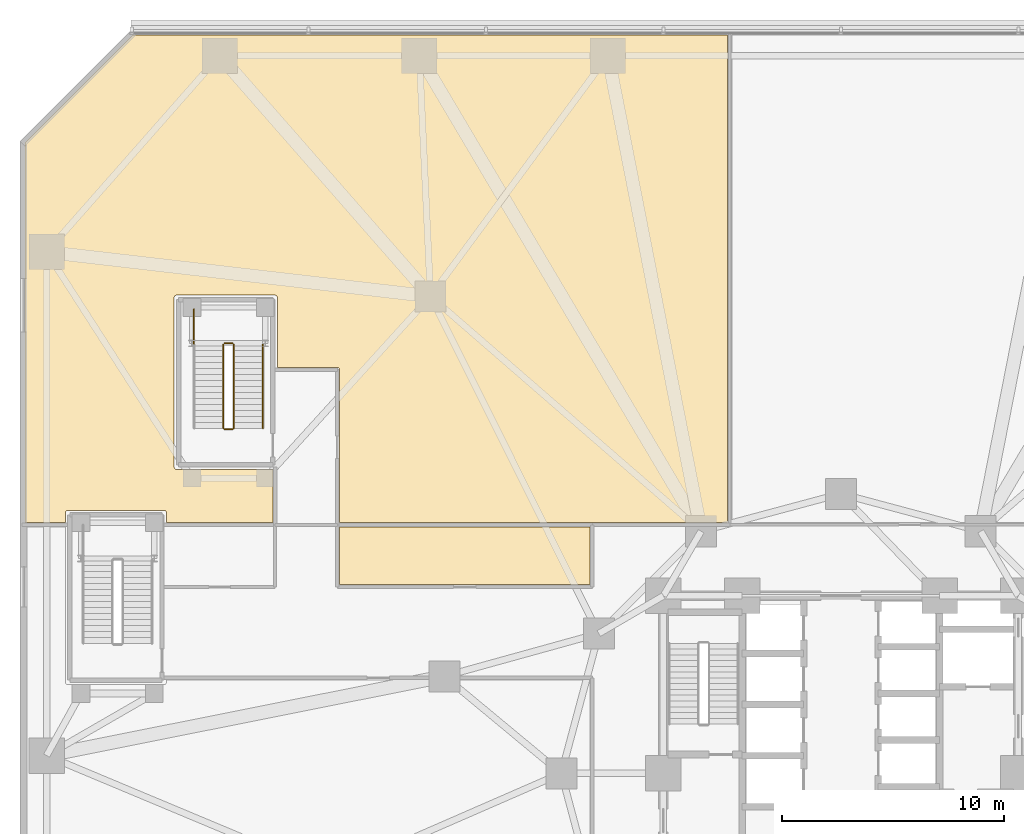
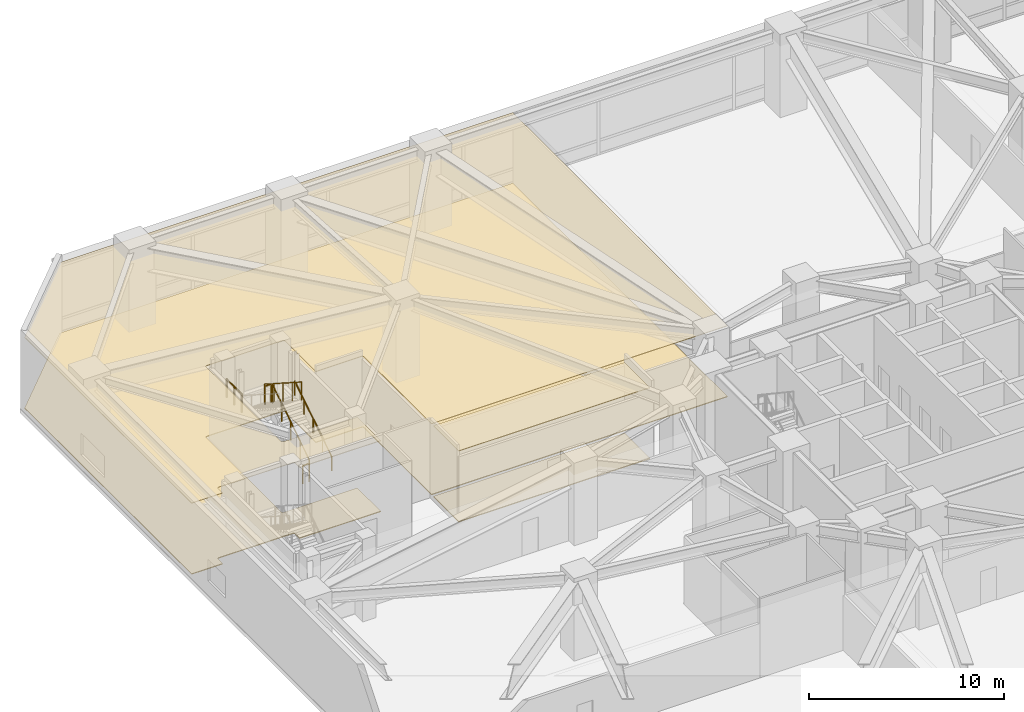
# One storey, part 25 of 27: 6 railings, 4 coverings.
"""IFC4 building model written with IfcOpenShell, lengths in metres."""

from ifc_helpers import new_model, si_unit, direction, frame, origin, origin_2d, place, context, subcontext, project, spatial, polyline, circle, outline, extrude, material, layer, layer_set, type_object, element, save


model = new_model("IFC4")

# Units and contexts
model_context = context("Model", 3, precision=1e-05, world=origin(), true_north=direction((0.0, 1.0)))
body_context = subcontext(model_context, "Body", "Model", "MODEL_VIEW")
ifc_project = project(units=[si_unit("LENGTHUNIT", "METRE"), si_unit("AREAUNIT", "SQUARE_METRE"), si_unit("VOLUMEUNIT", "CUBIC_METRE"), si_unit("PLANEANGLEUNIT", "RADIAN"), si_unit("MASSUNIT", "GRAM", prefix="KILO")], contexts=[model_context])

# Site, building, storey
site_placement = place(None, origin())
site = spatial("IfcSite", under=ifc_project, at=site_placement, CompositionType="ELEMENT")
building_placement = place(site_placement, origin())
building = spatial("IfcBuilding", under=site, at=building_placement, Name="Terralouvre Media Tower", CompositionType="ELEMENT")
storey_placement = place(building_placement, frame((0.0, 0.0, 5.199951171875)))
storey = spatial("IfcBuildingStorey", under=building, at=storey_placement, Name="L01", CompositionType="ELEMENT", Elevation=5.199951171875)

# Coverings
ifc_material_1 = material(Name="Resilient elastomer acoustic broadcast studio flooring")
ifc_layer_1 = layer(ifc_material_1, 0.050048828125, Name="Broadcast Studio Acoustic Floating Floor FL-AC1")
ifc_layer_set_1 = layer_set([ifc_layer_1], Name="Resilient elastomer acoustic broadcast studio flooring")
covering_type_1 = type_object("IfcCoveringType", Name="Broadcast Studio Acoustic Floating Floor FL-AC1", PredefinedType="FLOORING", material=ifc_layer_set_1)
covering_1_placement = place(storey_placement, origin())
element("IfcCovering", 1, at=covering_1_placement, inside=storey, type_object=covering_type_1, Name="L01 L01 Broadcast Television Studio Hall A 9 Acoustic Floating Floor", PredefinedType="FLOORING", context=body_context, shape_type="SweptSolid", body=[
    extrude(outline(polyline([(-34.949951171875, 11.75), (-34.949462890625, 11.759765625), (-34.947998046875, 11.76953125), (-34.94580078125, 11.779052734375), (-34.9423828125, 11.788330078125), (-34.938232421875, 11.797119140625), (-34.93310546875, 11.8056640625), (-34.92724609375, 11.8134765625), (-34.920654296875, 11.82080078125), (-34.913330078125, 11.827392578125), (-34.905517578125, 11.8330078125), (-34.897216796875, 11.838134765625), (-34.88818359375, 11.84228515625), (-34.87890625, 11.845703125), (-34.869384765625, 11.84814453125), (-34.85986328125, 11.849609375), (-34.85009765625, 11.85009765625), (-30.5, 11.85009765625), (-30.490234375, 11.849609375), (-30.48046875, 11.84814453125), (-30.470947265625, 11.845703125), (-30.461669921875, 11.84228515625), (-30.452880859375, 11.838134765625), (-30.4443359375, 11.8330078125), (-30.4365234375, 11.827392578125), (-30.42919921875, 11.82080078125), (-30.422607421875, 11.8134765625), (-30.4169921875, 11.8056640625), (-30.411865234375, 11.797119140625), (-30.40771484375, 11.788330078125), (-30.404296875, 11.779052734375), (-30.40185546875, 11.76953125), (-30.400390625, 11.759765625), (-30.39990234375, 11.75), (-30.39990234375, 11.300048828125), (-25.60009765625, 11.300048828125), (-25.60009765625, 13.699951171875), (-29.949951171875, 13.699951171875), (-29.959716796875, 13.700439453125), (-29.969482421875, 13.701904296875), (-29.97900390625, 13.704345703125), (-29.98828125, 13.70751953125), (-29.9970703125, 13.7119140625), (-30.005615234375, 13.716796875), (-30.013427734375, 13.72265625), (-30.020751953125, 13.729248046875), (-30.02734375, 13.736572265625), (-30.033203125, 13.744384765625), (-30.0380859375, 13.7529296875), (-30.04248046875, 13.76171875), (-30.045654296875, 13.77099609375), (-30.048095703125, 13.780517578125), (-30.049560546875, 13.790283203125), (-30.050048828125, 13.800048828125), (-30.050048828125, 21.449951171875), (-30.049560546875, 21.459716796875), (-30.048095703125, 21.469482421875), (-30.045654296875, 21.47900390625), (-30.04248046875, 21.48828125), (-30.0380859375, 21.4970703125), (-30.033203125, 21.505615234375), (-30.02734375, 21.513427734375), (-30.020751953125, 21.520751953125), (-30.013427734375, 21.52734375), (-30.005615234375, 21.533203125), (-29.9970703125, 21.5380859375), (-29.98828125, 21.54248046875), (-29.97900390625, 21.545654296875), (-29.969482421875, 21.548095703125), (-29.959716796875, 21.549560546875), (-29.949951171875, 21.550048828125), (-25.5, 21.550048828125), (-25.490234375, 21.549560546875), (-25.48046875, 21.548095703125), (-25.470947265625, 21.545654296875), (-25.461669921875, 21.54248046875), (-25.452880859375, 21.5380859375), (-25.4443359375, 21.533203125), (-25.4365234375, 21.52734375), (-25.42919921875, 21.520751953125), (-25.422607421875, 21.513427734375), (-25.4169921875, 21.505615234375), (-25.411865234375, 21.4970703125), (-25.40771484375, 21.48828125), (-25.404296875, 21.47900390625), (-25.40185546875, 21.469482421875), (-25.400390625, 21.459716796875), (-25.39990234375, 21.449951171875), (-25.39990234375, 18.300048828125), (-22.699951171875, 18.300048828125), (-22.690185546875, 18.299560546875), (-22.680419921875, 18.298095703125), (-22.6708984375, 18.295654296875), (-22.66162109375, 18.29248046875), (-22.65283203125, 18.2880859375), (-22.644287109375, 18.283203125), (-22.63671875, 18.27734375), (-22.62939453125, 18.270751953125), (-22.622802734375, 18.263427734375), (-22.616943359375, 18.255615234375), (-22.61181640625, 18.2470703125), (-22.607666015625, 18.23828125), (-22.604248046875, 18.22900390625), (-22.601806640625, 18.219482421875), (-22.6005859375, 18.209716796875), (-22.60009765625, 18.199951171875), (-22.60009765625, 11.300048828125), (-5.10009765625, 11.300048828125), (-5.10009765625, 33.280029296875), (-31.90869140625, 33.280029296875), (-36.780029296875, 28.40869140625), (-36.780029296875, 11.300048828125), (-34.949951171875, 11.300048828125), (-34.949951171875, 11.75)])), origin(), (0.0, 0.0, 1.0), 0.050048828125),
])
covering_2_placement = place(storey_placement, origin())
element("IfcCovering", 2, at=covering_2_placement, inside=storey, type_object=covering_type_1, Name="L01 L01 Broadcast Television Studio Hall B 10 Acoustic Floating Floor", PredefinedType="FLOORING", context=body_context, shape_type="SweptSolid", body=[
    extrude(outline(polyline([(-22.60009765625, 8.5), (-11.300048828125, 8.5), (-11.300048828125, 11.10009765625), (-22.60009765625, 11.10009765625), (-22.60009765625, 8.5)])), origin(), (0.0, 0.0, 1.0), 0.050048828125),
])
ifc_material_2 = material(Name="Perforated aluminium acoustic ceiling baffle", Category="aluminium")
ifc_layer_2 = layer(ifc_material_2, 0.0400390625, Name="Perforated Acoustic Metal Tile Ceiling CL-AC1")
ifc_layer_set_2 = layer_set([ifc_layer_2], Name="Perforated aluminium acoustic ceiling baffle")
covering_type_2 = type_object("IfcCoveringType", Name="Perforated Acoustic Metal Tile Ceiling CL-AC1", PredefinedType="CEILING", material=ifc_layer_set_2)
covering_3_placement = place(storey_placement, frame((0.0, 0.0, 4.429931640625)))
element("IfcCovering", 3, at=covering_3_placement, inside=storey, type_object=covering_type_2, Name="L01 L01 Broadcast Television Studio Hall A 9 Acoustic Ceiling", PredefinedType="CEILING", context=body_context, shape_type="SweptSolid", body=[
    extrude(outline(polyline([(-34.949951171875, 11.75), (-34.949462890625, 11.759765625), (-34.947998046875, 11.76953125), (-34.94580078125, 11.779052734375), (-34.9423828125, 11.788330078125), (-34.938232421875, 11.797119140625), (-34.93310546875, 11.8056640625), (-34.92724609375, 11.8134765625), (-34.920654296875, 11.82080078125), (-34.913330078125, 11.827392578125), (-34.905517578125, 11.8330078125), (-34.897216796875, 11.838134765625), (-34.88818359375, 11.84228515625), (-34.87890625, 11.845703125), (-34.869384765625, 11.84814453125), (-34.85986328125, 11.849609375), (-34.85009765625, 11.85009765625), (-30.5, 11.85009765625), (-30.490234375, 11.849609375), (-30.48046875, 11.84814453125), (-30.470947265625, 11.845703125), (-30.461669921875, 11.84228515625), (-30.452880859375, 11.838134765625), (-30.4443359375, 11.8330078125), (-30.4365234375, 11.827392578125), (-30.42919921875, 11.82080078125), (-30.422607421875, 11.8134765625), (-30.4169921875, 11.8056640625), (-30.411865234375, 11.797119140625), (-30.40771484375, 11.788330078125), (-30.404296875, 11.779052734375), (-30.40185546875, 11.76953125), (-30.400390625, 11.759765625), (-30.39990234375, 11.75), (-30.39990234375, 11.300048828125), (-25.60009765625, 11.300048828125), (-25.60009765625, 13.699951171875), (-29.949951171875, 13.699951171875), (-29.959716796875, 13.700439453125), (-29.969482421875, 13.701904296875), (-29.97900390625, 13.704345703125), (-29.98828125, 13.70751953125), (-29.9970703125, 13.7119140625), (-30.005615234375, 13.716796875), (-30.013427734375, 13.72265625), (-30.020751953125, 13.729248046875), (-30.02734375, 13.736572265625), (-30.033203125, 13.744384765625), (-30.0380859375, 13.7529296875), (-30.04248046875, 13.76171875), (-30.045654296875, 13.77099609375), (-30.048095703125, 13.780517578125), (-30.049560546875, 13.790283203125), (-30.050048828125, 13.800048828125), (-30.050048828125, 21.449951171875), (-30.049560546875, 21.459716796875), (-30.048095703125, 21.469482421875), (-30.045654296875, 21.47900390625), (-30.04248046875, 21.48828125), (-30.0380859375, 21.4970703125), (-30.033203125, 21.505615234375), (-30.02734375, 21.513427734375), (-30.020751953125, 21.520751953125), (-30.013427734375, 21.52734375), (-30.005615234375, 21.533203125), (-29.9970703125, 21.5380859375), (-29.98828125, 21.54248046875), (-29.97900390625, 21.545654296875), (-29.969482421875, 21.548095703125), (-29.959716796875, 21.549560546875), (-29.949951171875, 21.550048828125), (-25.5, 21.550048828125), (-25.490234375, 21.549560546875), (-25.48046875, 21.548095703125), (-25.470947265625, 21.545654296875), (-25.461669921875, 21.54248046875), (-25.452880859375, 21.5380859375), (-25.4443359375, 21.533203125), (-25.4365234375, 21.52734375), (-25.42919921875, 21.520751953125), (-25.422607421875, 21.513427734375), (-25.4169921875, 21.505615234375), (-25.411865234375, 21.4970703125), (-25.40771484375, 21.48828125), (-25.404296875, 21.47900390625), (-25.40185546875, 21.469482421875), (-25.400390625, 21.459716796875), (-25.39990234375, 21.449951171875), (-25.39990234375, 18.300048828125), (-22.699951171875, 18.300048828125), (-22.690185546875, 18.299560546875), (-22.680419921875, 18.298095703125), (-22.6708984375, 18.295654296875), (-22.66162109375, 18.29248046875), (-22.65283203125, 18.2880859375), (-22.644287109375, 18.283203125), (-22.63671875, 18.27734375), (-22.62939453125, 18.270751953125), (-22.622802734375, 18.263427734375), (-22.616943359375, 18.255615234375), (-22.61181640625, 18.2470703125), (-22.607666015625, 18.23828125), (-22.604248046875, 18.22900390625), (-22.601806640625, 18.219482421875), (-22.6005859375, 18.209716796875), (-22.60009765625, 18.199951171875), (-22.60009765625, 11.300048828125), (-5.10009765625, 11.300048828125), (-5.10009765625, 33.280029296875), (-31.90869140625, 33.280029296875), (-36.780029296875, 28.40869140625), (-36.780029296875, 11.300048828125), (-34.949951171875, 11.300048828125), (-34.949951171875, 11.75)])), origin(), (0.0, 0.0, 1.0), 0.0400390625),
])
covering_4_placement = place(storey_placement, frame((0.0, 0.0, 4.429931640625)))
element("IfcCovering", 4, at=covering_4_placement, inside=storey, type_object=covering_type_2, Name="L01 L01 Broadcast Television Studio Hall B 10 Acoustic Ceiling", PredefinedType="CEILING", context=body_context, shape_type="SweptSolid", body=[
    extrude(outline(polyline([(-22.60009765625, 8.5), (-11.300048828125, 8.5), (-11.300048828125, 11.10009765625), (-22.60009765625, 11.10009765625), (-22.60009765625, 8.5)])), origin(), (0.0, 0.0, 1.0), 0.0400390625),
])

# Railings
ifc_material_3 = material(Name="Stainless steel 316 handrail and balustrade", Category="steel")
ifc_layer_3 = layer(ifc_material_3, 0.050048828125, Name="Stair Flight Wall Handrail HR-INT1")
ifc_layer_set_3 = layer_set([ifc_layer_3], Name="Stainless steel 316 handrail and balustrade")
railing_type_1 = type_object("IfcRailingType", Name="Stair Flight Wall Handrail HR-INT1", PredefinedType="HANDRAIL", material=ifc_layer_set_3)
railing_1_placement = place(storey_placement, frame((-26.050048828125, 15.550048828125, 0.17333984375)))
element("IfcRailing", 5, at=railing_1_placement, inside=storey, type_object=railing_type_1, Name="L01 ST-06 stair handrail 1", PredefinedType="HANDRAIL", context=body_context, shape_type="SweptSolid", body=[
    extrude(circle(Radius=0.02392578125, at=origin_2d()), frame((0.0, 0.0, 0.8759765625), z_axis=(0.0, 0.841508541869, 0.540243809739), x_axis=(-1.0, 0.0, 0.0)), (0.0, 0.0, 1.0), 4.491943359375),
    extrude(circle(Radius=0.02099609375, at=origin_2d()), origin(), (0.0, 0.0, 1.0), 0.851806640625),
    extrude(circle(Radius=0.02099609375, at=origin_2d()), frame((0.0, 0.945068359375, 0.606689453125)), (0.0, 0.0, 1.0), 0.851806640625),
    extrude(circle(Radius=0.02099609375, at=origin_2d()), frame((0.0, 1.89013671875, 1.21337890625)), (0.0, 0.0, 1.0), 0.851806640625),
    extrude(circle(Radius=0.02099609375, at=origin_2d()), frame((0.0, 2.8349609375, 1.820068359375)), (0.0, 0.0, 1.0), 0.851806640625),
    extrude(circle(Radius=0.02099609375, at=origin_2d()), frame((0.0, 3.780029296875, 2.4267578125)), (0.0, 0.0, 1.0), 0.851806640625),
])
ifc_material_4 = material(Name="Stainless steel 316 handrail and balustrade", Category="steel")
ifc_layer_4 = layer(ifc_material_4, 0.050048828125, Name="Stairwell Safety Guardrail GR-INT1")
ifc_layer_set_4 = layer_set([ifc_layer_4], Name="Stainless steel 316 handrail and balustrade")
railing_type_2 = type_object("IfcRailingType", Name="Stairwell Safety Guardrail GR-INT1", PredefinedType="GUARDRAIL", material=ifc_layer_set_4)
railing_2_placement = place(storey_placement, frame((-27.3701171875, 15.550048828125, 0.17333984375)))
element("IfcRailing", 6, at=railing_2_placement, inside=storey, type_object=railing_type_2, Name="L01 ST-06 stair guard 1", PredefinedType="GUARDRAIL", context=body_context, shape_type="SweptSolid", body=[
    extrude(circle(Radius=0.02392578125, at=origin_2d()), frame((0.0, 0.0, 1.1259765625), z_axis=(0.0, 0.841508541869, 0.540243809739), x_axis=(-1.0, 0.0, 0.0)), (0.0, 0.0, 1.0), 4.491943359375),
    extrude(circle(Radius=0.02099609375, at=origin_2d()), origin(), (0.0, 0.0, 1.0), 1.101806640625),
    extrude(circle(Radius=0.02099609375, at=origin_2d()), frame((0.0, 0.945068359375, 0.606689453125)), (0.0, 0.0, 1.0), 1.101806640625),
    extrude(circle(Radius=0.02099609375, at=origin_2d()), frame((0.0, 1.89013671875, 1.21337890625)), (0.0, 0.0, 1.0), 1.101806640625),
    extrude(circle(Radius=0.02099609375, at=origin_2d()), frame((0.0, 2.8349609375, 1.820068359375)), (0.0, 0.0, 1.0), 1.101806640625),
    extrude(circle(Radius=0.02099609375, at=origin_2d()), frame((0.0, 3.780029296875, 2.4267578125)), (0.0, 0.0, 1.0), 1.101806640625),
])
railing_3_placement = place(storey_placement, frame((-27.419921875, 19.3798828125, 2.60009765625)))
element("IfcRailing", 7, at=railing_3_placement, inside=storey, type_object=railing_type_2, Name="L01 ST-06 stair guard 2", PredefinedType="GUARDRAIL", context=body_context, shape_type="SweptSolid", body=[
    extrude(circle(Radius=0.02392578125, at=origin_2d()), frame((0.0, 0.0, 1.1259765625), z_axis=(-1.0, 0.0, 0.0), x_axis=(0.0, -1.0, 0.0)), (0.0, 0.0, 1.0), 0.360107421875),
    extrude(circle(Radius=0.02099609375, at=origin_2d()), origin(), (0.0, 0.0, 1.0), 1.101806640625),
    extrude(circle(Radius=0.02099609375, at=origin_2d()), frame((-0.360107421875, 0.0, 0.0)), (0.0, 0.0, 1.0), 1.101806640625),
])
railing_4_placement = place(storey_placement, frame((-27.830078125, 19.330078125, 2.7734375)))
element("IfcRailing", 8, at=railing_4_placement, inside=storey, type_object=railing_type_2, Name="L01 ST-06 stair guard 3", PredefinedType="GUARDRAIL", context=body_context, shape_type="SweptSolid", body=[
    extrude(circle(Radius=0.02392578125, at=origin_2d()), frame((0.0, 0.0, 1.1259765625), z_axis=(0.0, -0.84153325052, 0.540205320475), x_axis=(1.0, 0.0, 0.0)), (0.0, 0.0, 1.0), 4.491943359375),
    extrude(circle(Radius=0.02099609375, at=origin_2d()), origin(), (0.0, 0.0, 1.0), 1.101806640625),
    extrude(circle(Radius=0.02099609375, at=origin_2d()), frame((0.0, -0.945068359375, 0.606689453125)), (0.0, 0.0, 1.0), 1.101806640625),
    extrude(circle(Radius=0.02099609375, at=origin_2d()), frame((0.0, -1.89013671875, 1.21337890625)), (0.0, 0.0, 1.0), 1.101806640625),
    extrude(circle(Radius=0.02099609375, at=origin_2d()), frame((0.0, -2.8349609375, 1.81982421875)), (0.0, 0.0, 1.0), 1.101806640625),
    extrude(circle(Radius=0.02099609375, at=origin_2d()), frame((0.0, -3.780029296875, 2.426513671875)), (0.0, 0.0, 1.0), 1.101806640625),
])
railing_5_placement = place(storey_placement, frame((-27.419921875, 15.5, 0.0)))
element("IfcRailing", 9, at=railing_5_placement, inside=storey, type_object=railing_type_2, Name="L01 ST-06 stair guard 4", PredefinedType="GUARDRAIL", context=body_context, shape_type="SweptSolid", body=[
    extrude(circle(Radius=0.02392578125, at=origin_2d()), frame((0.0, 0.0, 1.1259765625), z_axis=(-1.0, 0.0, 0.0), x_axis=(0.0, -1.0, 0.0)), (0.0, 0.0, 1.0), 0.360107421875),
    extrude(circle(Radius=0.02099609375, at=origin_2d()), origin(), (0.0, 0.0, 1.0), 1.101806640625),
    extrude(circle(Radius=0.02099609375, at=origin_2d()), frame((-0.360107421875, 0.0, 0.0)), (0.0, 0.0, 1.0), 1.101806640625),
])
railing_6_placement = place(storey_placement, frame((-29.159912109375, 19.3701171875, 2.60009765625)))
element("IfcRailing", 10, at=railing_6_placement, inside=storey, type_object=railing_type_2, Name="L01 ST-06 Half-Landing Outer Guardrail", PredefinedType="GUARDRAIL", context=body_context, shape_type="SweptSolid", body=[
    extrude(circle(Radius=0.02392578125, at=origin_2d()), frame((0.0, 0.0, 1.1259765625), z_axis=(0.0, 1.0, 0.0), x_axis=(-1.0, 0.0, 0.0)), (0.0, 0.0, 1.0), 1.539794921875),
    extrude(circle(Radius=0.02099609375, at=origin_2d()), origin(), (0.0, 0.0, 1.0), 1.101806640625),
    extrude(circle(Radius=0.02099609375, at=origin_2d()), frame((0.0, 0.77001953125, 0.0)), (0.0, 0.0, 1.0), 1.101806640625),
    extrude(circle(Radius=0.02099609375, at=origin_2d()), frame((0.0, 1.539794921875, 0.0)), (0.0, 0.0, 1.0), 1.101806640625),
])

save(model, "model.ifc")
